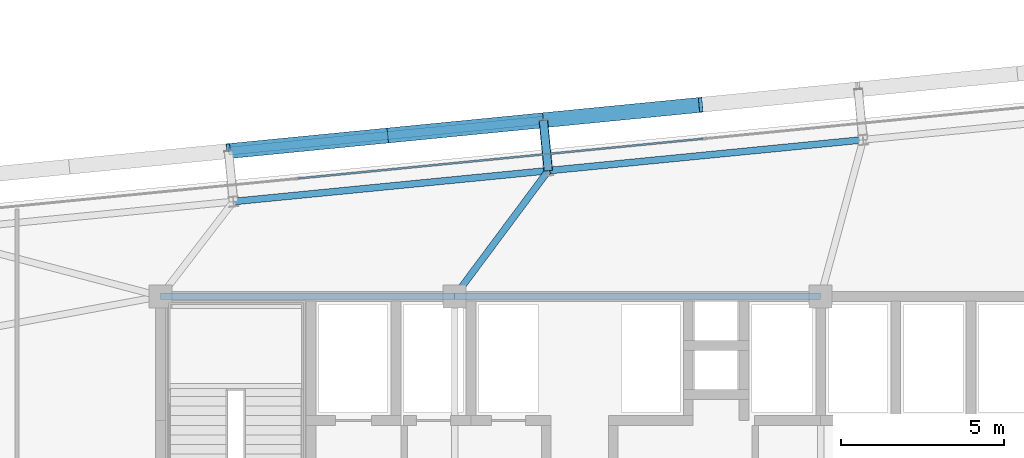
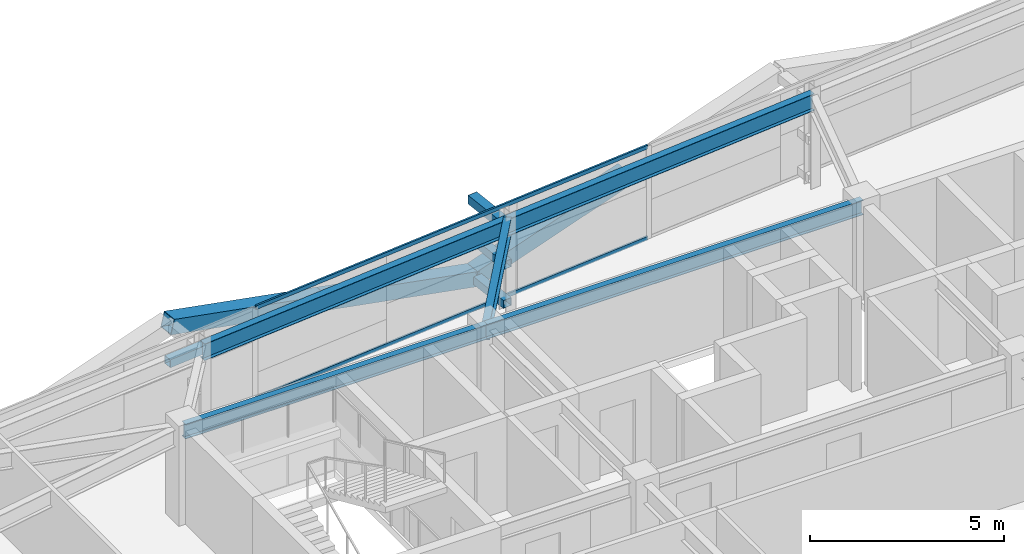
# One storey, part 26 of 47: 9 members, 5 beams, 1 element without a shape of its own.
"""IFC4 building model written with IfcOpenShell, lengths in metres."""

from ifc_helpers import new_model, si_unit, direction, frame, origin, origin_2d, place, context, subcontext, project, spatial, hollow_rectangle, i_section, extrude, source, transform, mapped, material, layer, layer_set, material_profile, profile_set, type_object, element, aggregate, save


model = new_model("IFC4")

# Units and contexts
model_context = context("Model", 3, precision=1e-05, world=origin(), true_north=direction((0.0, 1.0)))
body_context = subcontext(model_context, "Body", "Model", "MODEL_VIEW")
ifc_project = project(units=[si_unit("LENGTHUNIT", "METRE"), si_unit("AREAUNIT", "SQUARE_METRE"), si_unit("VOLUMEUNIT", "CUBIC_METRE"), si_unit("PLANEANGLEUNIT", "RADIAN"), si_unit("MASSUNIT", "GRAM", prefix="KILO")], contexts=[model_context])

# Site, building, storey
site_placement = place(None, origin())
site = spatial("IfcSite", under=ifc_project, at=site_placement, CompositionType="ELEMENT")
building_placement = place(site_placement, origin())
building = spatial("IfcBuilding", under=site, at=building_placement, Name="Taldren Reach Tower", CompositionType="ELEMENT")
storey_placement = place(building_placement, frame((0.0, 0.0, 87.14990234375)))
storey = spatial("IfcBuildingStorey", under=building, at=storey_placement, Name="L26", CompositionType="ELEMENT", Elevation=87.14990234375)

# Beams
ifc_material_1 = material(Name="Steel Gr 350 (350PLUS)", Category="steel")
ifc_material_profile_1 = material_profile(ifc_material_1, i_section(OverallWidth=0.19091796875, OverallDepth=0.4599609375, WebThickness=0.010009765625, FlangeThickness=0.01611328125, at=origin_2d()), Name="460UB82.1")
ifc_profile_set_1 = profile_set([ifc_material_profile_1], Name="Steel Gr 350 (350PLUS)")
beam_type_1 = type_object("IfcBeamType", Name="BM-UB460A", PredefinedType="BEAM", material=ifc_profile_set_1)
shared_shape_1 = source(origin(), body_context, "Body", "SweptSolid", [
    extrude(i_section(OverallWidth=0.19091796875, OverallDepth=0.4599609375, WebThickness=0.010009765625, FlangeThickness=0.01611328125, at=origin_2d()), origin(), (0.0, 0.0, 1.0), 9.0),
])
beam_1_placement = place(storey_placement, frame((19.0, 32.0, 2.7001953125), z_axis=(1.0, 0.0, 0.0), x_axis=(0.0, 1.0, 0.0)))
element("IfcBeam", 1, at=beam_1_placement, inside=storey, type_object=beam_type_1, Name="Core-spine girder L26-SP04", PredefinedType="BEAM", context=body_context, shape_type="MappedRepresentation", body=[
    mapped(shared_shape_1, transform((0.0, 0.0, 0.0), scale=1.0)),
])
shared_shape_2 = source(origin(), body_context, "Body", "SweptSolid", [
    extrude(i_section(OverallWidth=0.19091796875, OverallDepth=0.4599609375, WebThickness=0.010009765625, FlangeThickness=0.01611328125, at=origin_2d()), origin(), (0.0, 0.0, 1.0), 11.199951171875),
])
beam_2_placement = place(storey_placement, frame((28.0, 32.0, 2.7001953125), z_axis=(1.0, 0.0, 0.0), x_axis=(0.0, 1.0, 0.0)))
element("IfcBeam", 2, at=beam_2_placement, inside=storey, type_object=beam_type_1, Name="Core-spine girder L26-SP05", PredefinedType="BEAM", context=body_context, shape_type="MappedRepresentation", body=[
    mapped(shared_shape_2, transform((0.0, 0.0, 0.0), scale=1.0)),
])

# Members
ifc_material_2 = material(Name="Steel Gr 450 (C450L0)", Category="steel")
ifc_material_profile_2 = material_profile(ifc_material_2, hollow_rectangle(XDim=0.27490234375, YDim=0.27490234375, WallThickness=0.00927734375, at=origin_2d()), Name="275x275x9.3SHS")
ifc_profile_set_2 = profile_set([ifc_material_profile_2], Name="Steel Gr 450 (C450L0)")
member_type_1 = type_object("IfcMemberType", Name="MB-TIE273", PredefinedType="STRUT", material=ifc_profile_set_2)
shared_shape_3 = source(origin(), body_context, "Body", "SweptSolid", [
    extrude(hollow_rectangle(XDim=0.27490234375, YDim=0.27490234375, WallThickness=0.00927734375, at=origin_2d()), origin(), (0.0, 0.0, 1.0), 1.5498046875),
])
member_1_placement = place(storey_placement, frame((30.864501953125, 35.84619140625, 2.650146484375), z_axis=(-0.097663201064, 0.995219523099, 0.0), x_axis=(-0.995219523099, -0.097663201064, 0.0)))
element("IfcMember", 3, at=member_1_placement, inside=storey, type_object=member_type_1, Name="Exoskeleton diaphragm tie strut B2-N3 L26", PredefinedType="STRUT", context=body_context, shape_type="MappedRepresentation", body=[
    mapped(shared_shape_3, transform((0.0, 0.0, 0.0), scale=1.0)),
])
ifc_material_3 = material(Name="Steel Gr 350 (C350L0)", Category="steel")
ifc_material_profile_3 = material_profile(ifc_material_3, hollow_rectangle(XDim=0.25, YDim=0.25, WallThickness=0.010009765625, at=origin_2d()), Name="250x250x10.0SHS")
ifc_profile_set_3 = profile_set([ifc_material_profile_3], Name="Steel Gr 350 (C350L0)")
member_type_2 = type_object("IfcMemberType", Name="MB-POST250", PredefinedType="POST", material=ifc_profile_set_3)
shared_shape_4 = source(origin(), body_context, "Body", "SweptSolid", [
    extrude(hollow_rectangle(XDim=0.25, YDim=0.25, WallThickness=0.010009765625, at=origin_2d()), origin(), (0.0, 0.0, 1.0), 1.5498046875),
])
for number, where, z_axis, x_axis, name in (
    (4, (30.864501953125, 35.84619140625, 0.22021484375), (-0.097663201064, 0.995219523099, 0.0), (-0.995219523099, -0.097663201064, 0.0), "Exoskeleton base diaphragm tie strut B2-N3 L26"),
    (5, (30.864501953125, 35.84619140625, 1.43505859375), (-0.097663201064, 0.995219523099, 0.0), (-0.995219523099, -0.097663201064, 0.0), "Exoskeleton mid-tier diaphragm tie B2-N3 L26"),
):
    element("IfcMember", number, at=place(storey_placement, frame(where, z_axis=z_axis, x_axis=x_axis)), inside=storey, type_object=member_type_2, Name=name, PredefinedType="POST", context=body_context, shape_type="MappedRepresentation", body=[
        mapped(shared_shape_4, transform((0.0, 0.0, 0.0), scale=1.0)),
    ])

# Beams
ifc_material_profile_4 = material_profile(ifc_material_1, i_section(OverallWidth=0.208984375, OverallDepth=0.528076171875, WebThickness=0.009521484375, FlangeThickness=0.01318359375, at=origin_2d()), Name="530UB82.0")
ifc_profile_set_4 = profile_set([ifc_material_profile_4], Name="Steel Gr 350 (350PLUS)")
beam_type_2 = type_object("IfcBeamType", Name="SP-UB530B", PredefinedType="SPANDREL", material=ifc_profile_set_4)
shared_shape_5 = source(origin(), body_context, "Body", "SweptSolid", [
    extrude(i_section(OverallWidth=0.208984375, OverallDepth=0.528076171875, WebThickness=0.009521484375, FlangeThickness=0.01318359375, at=origin_2d()), origin(), (0.0, 0.0, 1.0), 9.679931640625),
])
for number, where, z_axis, x_axis, name in (
    (6, (40.498291015625, 36.790771484375, 2.666015625), (-0.995227612658, -0.097580730699, 0.0), (0.097580730699, -0.995227612658, 0.0), "Perimeter spandrel B2 N4-N3 L26"),
    (7, (30.864501953125, 35.84619140625, 2.666015625), (-0.995225162995, -0.097605711627, 0.0), (0.097605711627, -0.995225162995, 0.0), "Perimeter spandrel B2 N3-N2 L26"),
):
    element("IfcBeam", number, at=place(storey_placement, frame(where, z_axis=z_axis, x_axis=x_axis)), inside=storey, type_object=beam_type_2, Name=name, PredefinedType="SPANDREL", context=body_context, shape_type="MappedRepresentation", body=[
        mapped(shared_shape_5, transform((0.0, 0.0, 0.0), scale=1.0)),
    ])
ifc_material_profile_5 = material_profile(ifc_material_1, i_section(OverallWidth=0.208984375, OverallDepth=0.532958984375, WebThickness=0.01025390625, FlangeThickness=0.015625, at=origin_2d()), Name="530UB92.4")
ifc_profile_set_5 = profile_set([ifc_material_profile_5], Name="Steel Gr 350 (350PLUS)")
beam_type_3 = type_object("IfcBeamType", Name="BM-UB530A", PredefinedType="BEAM", material=ifc_profile_set_5)
shared_shape_6 = source(origin(), body_context, "Body", "SweptSolid", [
    extrude(i_section(OverallWidth=0.208984375, OverallDepth=0.532958984375, WebThickness=0.01025390625, FlangeThickness=0.015625, at=origin_2d()), origin(), (0.0, 0.0, 1.0), 4.795654296875),
])
beam_3_placement = place(storey_placement, frame((28.0, 32.0, 2.66357421875), z_axis=(0.59730864792, 0.802011458223, 0.0), x_axis=(-0.802011458223, 0.59730864792, 0.0)))
element("IfcBeam", 8, at=beam_3_placement, inside=storey, type_object=beam_type_3, Name="Primary floor girder B2-N3 L26", PredefinedType="BEAM", context=body_context, shape_type="MappedRepresentation", body=[
    mapped(shared_shape_6, transform((0.0, 0.0, 0.0), scale=1.0)),
])

# Members
ifc_material_profile_6 = material_profile(ifc_material_2, hollow_rectangle(XDim=0.4599609375, YDim=0.4599609375, WallThickness=0.01611328125, at=origin_2d()), Name="460x460x16.0SHS")
ifc_profile_set_6 = profile_set([ifc_material_profile_6], Name="Steel Gr 450 (C450L0)")
member_type_3 = type_object("IfcMemberType", Name="MB-EXO457", PredefinedType="BRACE", material=ifc_profile_set_6)
shared_shape_7 = source(origin(), body_context, "Body", "SweptSolid", [
    extrude(hollow_rectangle(XDim=0.4599609375, YDim=0.4599609375, WallThickness=0.01611328125, at=origin_2d()), origin(), (0.0, 0.0, 1.0), 4.990234375),
])
for number, where, z_axis, x_axis, name in (
    (9, (30.713134765625, 37.388671875, 0.22021484375), (-0.965287024526, -0.094620633828, 0.24344998652), (0.097555749586, -0.995230061706, 0.0), "Exoskeleton Diagrid Brace B2-N2 L26"),
    (10, (25.896240234375, 36.91650390625, 1.43505859375), (-0.965271056716, -0.094667992638, 0.243494883389), (0.097605711627, -0.995225162995, 0.0), "Exoskeleton Diagrid Brace B2-N2 L26"),
    (11, (30.713134765625, 37.388671875, 0.22021484375), (0.965282554799, 0.094669120301, 0.243448859234), (-0.097605711627, 0.995225162995, 0.0), "Exoskeleton Diagrid Brace B2-N3 L26"),
):
    element("IfcMember", number, at=place(storey_placement, frame(where, z_axis=z_axis, x_axis=x_axis)), inside=storey, type_object=member_type_3, Name=name, PredefinedType="BRACE", context=body_context, shape_type="MappedRepresentation", body=[
        mapped(shared_shape_7, transform((0.0, 0.0, 0.0), scale=1.0)),
    ])
shared_shape_8 = source(origin(), body_context, "Body", "SweptSolid", [
    extrude(hollow_rectangle(XDim=0.25, YDim=0.25, WallThickness=0.010009765625, at=origin_2d()), origin(), (0.0, 0.0, 1.0), 9.679931640625),
])
member_2_placement = place(storey_placement, frame((21.079345703125, 36.444091796875, 1.43505859375), z_axis=(0.995227612658, 0.097580730699, 0.0), x_axis=(-0.097580730699, 0.995227612658, 0.0)))
element("IfcMember", 12, at=member_2_placement, inside=storey, type_object=member_type_2, Name="Exoskeleton mid-height ring chord B2-N2 L26", PredefinedType="POST", context=body_context, shape_type="MappedRepresentation", body=[
    mapped(shared_shape_8, transform((0.0, 0.0, 0.0), scale=1.0)),
])

# Curtain wall, members
ifc_material_4 = material(Name="Aluminium and Low-E Glass Unitised System", Category="aluminium")
ifc_layer = layer(ifc_material_4, 0.159912109375)
ifc_layer_set = layer_set([ifc_layer], Name="Aluminium and Low-E Glass Unitised System")
curtain_wall_type = type_object("IfcCurtainWallType", Name="CW-SYS-3", PredefinedType="NOTDEFINED", material=ifc_layer_set)
curtain_wall_placement = place(storey_placement, origin())
curtain_wall = element("IfcCurtainWall", 13, at=curtain_wall_placement, inside=storey, type_object=curtain_wall_type, Name="Unitised curtain wall CW-L26-N", PredefinedType="NOTDEFINED")
ifc_material_5 = material(Name="Anodised Aluminium 6063-T6", Category="aluminium")
ifc_material_profile_7 = material_profile(ifc_material_5, hollow_rectangle(XDim=0.054931640625, YDim=0.1201171875, WallThickness=0.0029296875, at=origin_2d()), Name="ALU-120x55x3RHS")
ifc_profile_set_7 = profile_set([ifc_material_profile_7], Name="Anodised Aluminium 6063-T6")
member_type_4 = type_object("IfcMemberType", Name="CW-TRN-135", PredefinedType="USERDEFINED", material=ifc_profile_set_7)
shared_shape_9 = source(origin(), body_context, "Body", "SweptSolid", [
    extrude(hollow_rectangle(XDim=0.054931640625, YDim=0.1201171875, WallThickness=0.0029296875, at=origin_2d()), origin(), (0.0, 0.0, 1.0), 12.434814453125),
])
member_3_placement = place(storey_placement, frame((35.59912109375, 36.82275390625, 0.027587890625), z_axis=(-0.995227777428, -0.097579050184, 0.0), x_axis=(0.097579050184, -0.995227777428, 0.0)))
member_3 = element("IfcMember", 14, at=member_3_placement, type_object=member_type_4, Name="CW-3 transom 3.1", ObjectType="TRANSOM", PredefinedType="USERDEFINED", context=body_context, shape_type="MappedRepresentation", body=[
    mapped(shared_shape_9, transform((0.0, 0.0, 0.0), scale=1.0)),
])
member_4_placement = place(storey_placement, frame((35.59912109375, 36.82275390625, 2.902587890625), z_axis=(-0.995227777428, -0.097579050184, 0.0), x_axis=(0.097579050184, -0.995227777428, 0.0)))
member_4 = element("IfcMember", 15, at=member_4_placement, type_object=member_type_4, Name="CW-3 transom 3.2", ObjectType="TRANSOM", PredefinedType="USERDEFINED", context=body_context, shape_type="MappedRepresentation", body=[
    mapped(shared_shape_9, transform((0.0, 0.0, 0.0), scale=1.0)),
])
aggregate(curtain_wall, [member_3, member_4])

save(model, "model.ifc")
